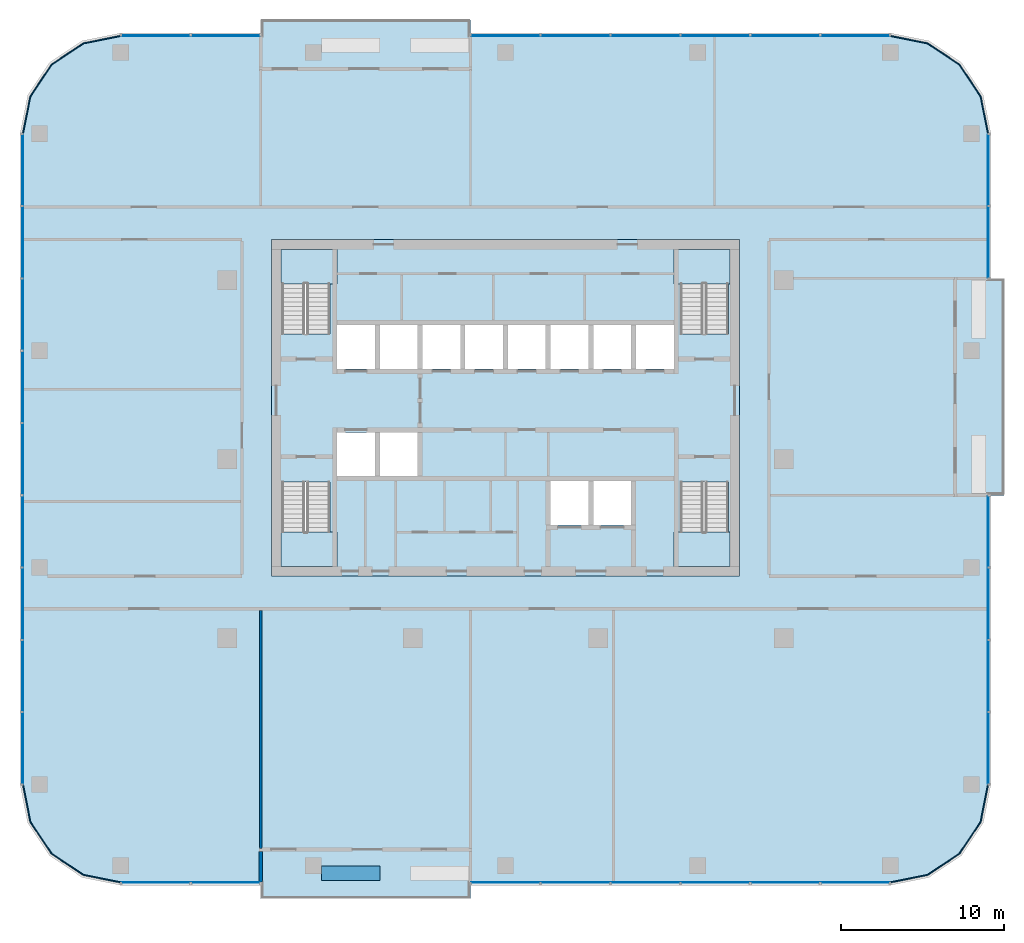
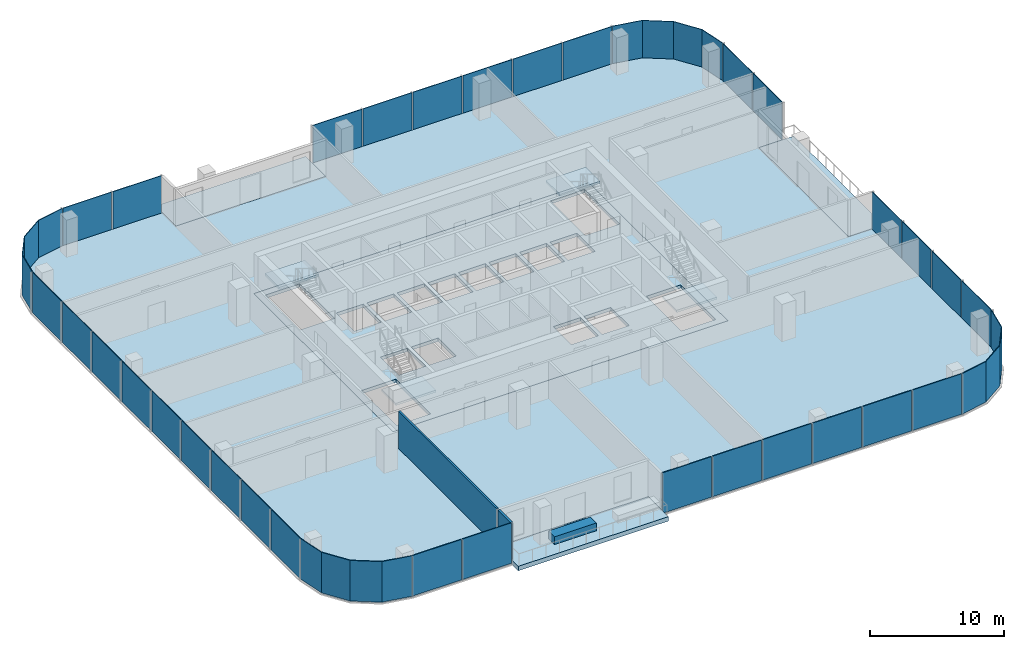
# One storey, part 6 of 13: 35 plates, 9 slabs, 3 walls, 15 elements without a shape of their own.
"""IFC4 building model written with IfcOpenShell, lengths in metres."""

from ifc_helpers import new_model, si_unit, direction, frame, frame_2d, origin, origin_2d, place, context, subcontext, project, spatial, polyline, rectangle, outline, extrude, material, layer, layer_set, type_object, element, aggregate, save


model = new_model("IFC4")

# Units and contexts
model_context = context("Model", 3, precision=1e-05, world=origin(), true_north=direction((0.0, 1.0)))
body_context = subcontext(model_context, "Body", "Model", "MODEL_VIEW")
ifc_project = project(units=[si_unit("LENGTHUNIT", "METRE"), si_unit("AREAUNIT", "SQUARE_METRE"), si_unit("VOLUMEUNIT", "CUBIC_METRE"), si_unit("PLANEANGLEUNIT", "RADIAN"), si_unit("MASSUNIT", "GRAM", prefix="KILO")], contexts=[model_context])

# Site, building, storey
site_placement = place(None, origin())
site = spatial("IfcSite", under=ifc_project, at=site_placement, CompositionType="ELEMENT")
building_placement = place(site_placement, origin())
building = spatial("IfcBuilding", under=site, at=building_placement, Name="Mopane Tessera Tower", CompositionType="ELEMENT")
storey_placement = place(building_placement, frame((0.0, 0.0, 311.39990234375)))
storey = spatial("IfcBuildingStorey", under=building, at=storey_placement, Name="L68", CompositionType="ELEMENT", Elevation=311.39990234375)

# Slab
ifc_material_1 = material(Name="Concrete C40/50", Category="concrete")
ifc_layer_1 = layer(ifc_material_1, 0.300048828125)
ifc_layer_set_1 = layer_set([ifc_layer_1], Name="Concrete C40/50")
slab_type_1 = type_object("IfcSlabType", Name="Core floor slab 300 mm", PredefinedType="FLOOR", material=ifc_layer_set_1)
slab_1_placement = place(storey_placement, frame((0.0, 0.0, -0.2998046875)))
element("IfcSlab", 1, at=slab_1_placement, inside=storey, type_object=slab_type_1, Name="L68 core floor slab", PredefinedType="FLOOR", context=body_context, shape_type="SweptSolid", body=[
    extrude(outline(polyline([(-14.39990234375, -7.199951171875), (14.39990234375, -7.199951171875), (14.39990234375, 13.5), (-14.39990234375, 13.5), (-14.39990234375, -7.199951171875)]), holes=[polyline([(-10.35009765625, -1.050048828125), (-8.02490234375, -1.050048828125), (-8.02490234375, 1.64990234375), (-10.35009765625, 1.64990234375), (-10.35009765625, -1.050048828125)]), polyline([(-7.72509765625, -1.050048828125), (-5.39990234375, -1.050048828125), (-5.39990234375, 1.64990234375), (-7.72509765625, 1.64990234375), (-7.72509765625, -1.050048828125)]), polyline([(-10.35009765625, 5.550048828125), (-8.02490234375, 5.550048828125), (-8.02490234375, 8.25), (-10.35009765625, 8.25), (-10.35009765625, 5.550048828125)]), polyline([(-7.72509765625, 5.550048828125), (-5.39990234375, 5.550048828125), (-5.39990234375, 8.25), (-7.72509765625, 8.25), (-7.72509765625, 5.550048828125)]), polyline([(-5.10009765625, 5.550048828125), (-2.77490234375, 5.550048828125), (-2.77490234375, 8.25), (-5.10009765625, 8.25), (-5.10009765625, 5.550048828125)]), polyline([(-2.47509765625, 5.550048828125), (-0.14990234375, 5.550048828125), (-0.14990234375, 8.25), (-2.47509765625, 8.25), (-2.47509765625, 5.550048828125)]), polyline([(0.14990234375, 5.550048828125), (2.47509765625, 5.550048828125), (2.47509765625, 8.25), (0.14990234375, 8.25), (0.14990234375, 5.550048828125)]), polyline([(2.77490234375, 5.550048828125), (5.10009765625, 5.550048828125), (5.10009765625, 8.25), (2.77490234375, 8.25), (2.77490234375, 5.550048828125)]), polyline([(5.39990234375, 5.550048828125), (7.72509765625, 5.550048828125), (7.72509765625, 8.25), (5.39990234375, 8.25), (5.39990234375, 5.550048828125)]), polyline([(8.02490234375, 5.550048828125), (10.35009765625, 5.550048828125), (10.35009765625, 8.25), (8.02490234375, 8.25), (8.02490234375, 5.550048828125)]), polyline([(2.77490234375, -4.050048828125), (5.10009765625, -4.050048828125), (5.10009765625, -1.35009765625), (2.77490234375, -1.35009765625), (2.77490234375, -4.050048828125)]), polyline([(5.39990234375, -4.050048828125), (7.72509765625, -4.050048828125), (7.72509765625, -1.35009765625), (5.39990234375, -1.35009765625), (5.39990234375, -4.050048828125)]), polyline([(-13.75, -1.405029296875), (-13.75, -6.60009765625), (-10.800048828125, -6.60009765625), (-10.800048828125, -1.405029296875), (-13.75, -1.405029296875)]), polyline([(-10.800048828125, 7.705078125), (-10.800048828125, 12.89990234375), (-13.75, 12.89990234375), (-13.75, 7.705078125), (-10.800048828125, 7.705078125)]), polyline([(10.75, -1.405029296875), (10.75, -6.60009765625), (13.699951171875, -6.60009765625), (13.699951171875, -1.405029296875), (10.75, -1.405029296875)]), polyline([(13.699951171875, 7.705078125), (13.699951171875, 12.89990234375), (10.75, 12.89990234375), (10.75, 7.705078125), (13.699951171875, 7.705078125)])]), origin(), (0.0, 0.0, 1.0), 0.2998046875),
])

# Stair, slab
ifc_material_2 = material(Name="Concrete C50/60", Category="concrete")
stair_type = type_object("IfcStairType", Name="Escape stair 1400 mm, riser 167 mm", PredefinedType="HALF_TURN_STAIR", material=ifc_material_2)
stair_1_placement = place(storey_placement, origin())
stair_1 = element("IfcStair", 2, at=stair_1_placement, inside=storey, type_object=stair_type, Name="L68 Escape stair south-west", PredefinedType="HALF_TURN_STAIR")
ifc_material_3 = material(Name="Concrete C50/60", Category="concrete")
ifc_layer_2 = layer(ifc_material_3, 0.199951171875)
ifc_layer_set_2 = layer_set([ifc_layer_2], Name="Concrete C50/60")
slab_type_2 = type_object("IfcSlabType", Name="Escape stair landing 200 mm", PredefinedType="LANDING", material=ifc_layer_set_2)
slab_2_placement = place(storey_placement, frame((0.0, 0.0, 1.800048828125)))
slab_2 = element("IfcSlab", 3, at=slab_2_placement, type_object=slab_type_2, Name="ST1 landing 1", PredefinedType="LANDING", context=body_context, shape_type="SweptSolid", body=[
    extrude(outline(polyline([(-13.800048828125, -4.47998046875), (-13.800048828125, -6.60009765625), (-10.35009765625, -6.60009765625), (-10.35009765625, -4.47998046875), (-13.800048828125, -4.47998046875)])), origin(), (0.0, 0.0, 1.0), 0.199951171875),
])
aggregate(stair_1, [slab_2])

stair_2_placement = place(storey_placement, origin())
stair_2 = element("IfcStair", 4, at=stair_2_placement, inside=storey, type_object=stair_type, Name="L68 Escape stair north-west", PredefinedType="HALF_TURN_STAIR")
slab_3_placement = place(storey_placement, frame((0.0, 0.0, 1.800048828125)))
slab_3 = element("IfcSlab", 5, at=slab_3_placement, type_object=slab_type_2, Name="ST2 landing 1", PredefinedType="LANDING", context=body_context, shape_type="SweptSolid", body=[
    extrude(outline(polyline([(-10.35009765625, 10.780029296875), (-10.35009765625, 12.89990234375), (-13.800048828125, 12.89990234375), (-13.800048828125, 10.780029296875), (-10.35009765625, 10.780029296875)])), origin(), (0.0, 0.0, 1.0), 0.199951171875),
])
aggregate(stair_2, [slab_3])

stair_3_placement = place(storey_placement, origin())
stair_3 = element("IfcStair", 6, at=stair_3_placement, inside=storey, type_object=stair_type, Name="L68 Escape stair south-east", PredefinedType="HALF_TURN_STAIR")
slab_4_placement = place(storey_placement, frame((0.0, 0.0, 1.800048828125)))
slab_4 = element("IfcSlab", 7, at=slab_4_placement, type_object=slab_type_2, Name="ST3 landing 1", PredefinedType="LANDING", context=body_context, shape_type="SweptSolid", body=[
    extrude(outline(polyline([(10.35009765625, -4.47998046875), (10.35009765625, -6.60009765625), (13.800048828125, -6.60009765625), (13.800048828125, -4.47998046875), (10.35009765625, -4.47998046875)])), origin(), (0.0, 0.0, 1.0), 0.199951171875),
])
aggregate(stair_3, [slab_4])

stair_4_placement = place(storey_placement, origin())
stair_4 = element("IfcStair", 8, at=stair_4_placement, inside=storey, type_object=stair_type, Name="L68 Escape stair north-east", PredefinedType="HALF_TURN_STAIR")
slab_5_placement = place(storey_placement, frame((0.0, 0.0, 1.800048828125)))
slab_5 = element("IfcSlab", 9, at=slab_5_placement, type_object=slab_type_2, Name="ST4 landing 1", PredefinedType="LANDING", context=body_context, shape_type="SweptSolid", body=[
    extrude(outline(polyline([(13.800048828125, 10.780029296875), (13.800048828125, 12.89990234375), (10.35009765625, 12.89990234375), (10.35009765625, 10.780029296875), (13.800048828125, 10.780029296875)])), origin(), (0.0, 0.0, 1.0), 0.199951171875),
])
aggregate(stair_4, [slab_5])

# Slabs
ifc_material_4 = material(Name="Concrete C40/50", Category="concrete")
ifc_layer_3 = layer(ifc_material_4, 0.39990234375)
ifc_layer_set_3 = layer_set([ifc_layer_3], Name="Concrete C40/50")
slab_type_3 = type_object("IfcSlabType", Name="Planted terrace slab 400 mm", PredefinedType="FLOOR", material=ifc_layer_set_3)
slab_6_placement = place(storey_placement, frame((0.0, 0.0, -0.39990234375)))
element("IfcSlab", 10, at=slab_6_placement, inside=storey, type_object=slab_type_3, Name="Terrace slab N1 L68", PredefinedType="FLOOR", context=body_context, shape_type="SweptSolid", body=[
    extrude(outline(polyline([(30.64990234375, 11.111083984375), (27.64990234375, 11.111083984375), (27.64990234375, -2.22216796875), (30.64990234375, -2.22216796875), (30.64990234375, 11.111083984375)])), origin(), (0.0, 0.0, 1.0), 0.39990234375),
])
slab_7_placement = place(storey_placement, frame((0.0, 0.0, -0.39990234375)))
element("IfcSlab", 11, at=slab_7_placement, inside=storey, type_object=slab_type_3, Name="Terrace slab N2 L68", PredefinedType="FLOOR", context=body_context, shape_type="SweptSolid", body=[
    extrude(outline(polyline([(-15.050048828125, 27.0), (-15.050048828125, 24.0), (-2.14990234375, 24.0), (-2.14990234375, 27.0), (-15.050048828125, 27.0)])), origin(), (0.0, 0.0, 1.0), 0.39990234375),
])
slab_8_placement = place(storey_placement, frame((0.0, 0.0, -0.39990234375)))
element("IfcSlab", 12, at=slab_8_placement, inside=storey, type_object=slab_type_3, Name="Terrace slab N3 L68", PredefinedType="FLOOR", context=body_context, shape_type="SweptSolid", body=[
    extrude(outline(polyline([(-2.14990234375, -27.0), (-2.14990234375, -24.0), (-15.050048828125, -24.0), (-15.050048828125, -27.0), (-2.14990234375, -27.0)])), origin(), (0.0, 0.0, 1.0), 0.39990234375),
])
ifc_material_5 = material(Name="Concrete C40/50", Category="concrete")
ifc_layer_4 = layer(ifc_material_5, 0.39990234375)
ifc_layer_set_4 = layer_set([ifc_layer_4], Name="Concrete C40/50")
slab_type_4 = type_object("IfcSlabType", Name="Post-tensioned flat plate 400 mm", PredefinedType="FLOOR", material=ifc_layer_set_4)
slab_9_placement = place(storey_placement, frame((0.0, 0.0, -0.39990234375)))
element("IfcSlab", 13, at=slab_9_placement, inside=storey, type_object=slab_type_4, Name="Floor slab L68", PredefinedType="FLOOR", context=body_context, shape_type="SweptSolid", body=[
    extrude(outline(polyline([(-23.64990234375, -26.0), (-15.050048828125, -26.0), (-15.050048828125, -24.0), (-2.14990234375, -24.0), (-2.14990234375, -26.0), (23.64990234375, -26.0), (25.946044921875, -25.543212890625), (27.892578125, -24.24267578125), (29.193359375, -22.296142578125), (29.64990234375, -20.0), (29.64990234375, -2.22216796875), (27.64990234375, -2.22216796875), (27.64990234375, 11.111083984375), (29.64990234375, 11.111083984375), (29.64990234375, 20.0), (29.193359375, 22.296142578125), (27.892578125, 24.24267578125), (25.946044921875, 25.543212890625), (23.64990234375, 26.0), (-2.14990234375, 26.0), (-2.14990234375, 24.0), (-15.050048828125, 24.0), (-15.050048828125, 26.0), (-23.64990234375, 26.0), (-25.946044921875, 25.543212890625), (-27.892578125, 24.24267578125), (-29.193359375, 22.296142578125), (-29.64990234375, 20.0), (-29.64990234375, -20.0), (-29.193359375, -22.296142578125), (-27.892578125, -24.24267578125), (-25.946044921875, -25.543212890625), (-23.64990234375, -26.0)]), holes=[polyline([(14.39990234375, -7.199951171875), (-14.39990234375, -7.199951171875), (-14.39990234375, 13.5), (14.39990234375, 13.5), (14.39990234375, -7.199951171875)])]), origin(), (0.0, 0.0, 1.0), 0.39990234375),
])

# Curtain wall, plates
ifc_material_6 = material(Name="Aluminium frame", Category="aluminium")
curtain_wall_type = type_object("IfcCurtainWallType", Name="Unitised curtain wall", PredefinedType="NOTDEFINED", material=ifc_material_6)
curtain_wall_1_placement = place(storey_placement, origin())
curtain_wall_1 = element("IfcCurtainWall", 14, at=curtain_wall_1_placement, inside=storey, type_object=curtain_wall_type, Name="e:cw:L68:S:0", PredefinedType="NOTDEFINED")
ifc_material_7 = material(Name="Clear laminated glass", Category="glass")
ifc_layer_5 = layer(ifc_material_7, 0.06005859375)
ifc_layer_set_5 = layer_set([ifc_layer_5], Name="Clear laminated glass")
plate_type = type_object("IfcPlateType", Name="Unitised glazed unit", PredefinedType="CURTAIN_PANEL", material=ifc_layer_set_5)
plate_1_placement = place(storey_placement, frame((-21.5, -26.030029296875, -0.27978515625), z_axis=(0.0, 0.0, 1.0), x_axis=(1.0, 0.0, 0.0)))
plate_1 = element("IfcPlate", 15, at=plate_1_placement, type_object=plate_type, Name="e:cw:L68:S:0:pn0", PredefinedType="CURTAIN_PANEL", context=body_context, shape_type="SweptSolid", body=[
    extrude(rectangle(XDim=4.199951171875, YDim=0.06005859375, at=origin_2d()), origin(), (0.0, 0.0, 1.0), 3.679931640625),
])
plate_2_placement = place(storey_placement, frame((-17.199951171875, -26.030029296875, -0.27978515625), z_axis=(0.0, 0.0, 1.0), x_axis=(1.0, 0.0, 0.0)))
plate_2 = element("IfcPlate", 16, at=plate_2_placement, type_object=plate_type, Name="e:cw:L68:S:0:pn1", PredefinedType="CURTAIN_PANEL", context=body_context, shape_type="SweptSolid", body=[
    extrude(rectangle(XDim=4.199951171875, YDim=0.06005859375, at=origin_2d()), origin(), (0.0, 0.0, 1.0), 3.679931640625),
])
aggregate(curtain_wall_1, [plate_1, plate_2])

curtain_wall_2_placement = place(storey_placement, origin())
curtain_wall_2 = element("IfcCurtainWall", 17, at=curtain_wall_2_placement, inside=storey, type_object=curtain_wall_type, Name="e:cw:L68:S:5", PredefinedType="NOTDEFINED")
plate_3_placement = place(storey_placement, frame((0.0, -26.030029296875, -0.27978515625), z_axis=(0.0, 0.0, 1.0), x_axis=(1.0, 0.0, 0.0)))
plate_3 = element("IfcPlate", 18, at=plate_3_placement, type_object=plate_type, Name="e:cw:L68:S:5:pn5", PredefinedType="CURTAIN_PANEL", context=body_context, shape_type="SweptSolid", body=[
    extrude(rectangle(XDim=4.199951171875, YDim=0.06005859375, at=origin_2d()), origin(), (0.0, 0.0, 1.0), 3.679931640625),
])
plate_4_placement = place(storey_placement, frame((4.300048828125, -26.030029296875, -0.27978515625), z_axis=(0.0, 0.0, 1.0), x_axis=(1.0, 0.0, 0.0)))
plate_4 = element("IfcPlate", 19, at=plate_4_placement, type_object=plate_type, Name="e:cw:L68:S:5:pn6", PredefinedType="CURTAIN_PANEL", context=body_context, shape_type="SweptSolid", body=[
    extrude(rectangle(XDim=4.199951171875, YDim=0.06005859375, at=origin_2d()), origin(), (0.0, 0.0, 1.0), 3.679931640625),
])
plate_5_placement = place(storey_placement, frame((8.60009765625, -26.030029296875, -0.27978515625), z_axis=(0.0, 0.0, 1.0), x_axis=(1.0, 0.0, 0.0)))
plate_5 = element("IfcPlate", 20, at=plate_5_placement, type_object=plate_type, Name="e:cw:L68:S:5:pn7", PredefinedType="CURTAIN_PANEL", context=body_context, shape_type="SweptSolid", body=[
    extrude(rectangle(XDim=4.199951171875, YDim=0.06005859375, at=origin_2d()), origin(), (0.0, 0.0, 1.0), 3.679931640625),
])
plate_6_placement = place(storey_placement, frame((12.89990234375, -26.030029296875, -0.27978515625), z_axis=(0.0, 0.0, 1.0), x_axis=(1.0, 0.0, 0.0)))
plate_6 = element("IfcPlate", 21, at=plate_6_placement, type_object=plate_type, Name="e:cw:L68:S:5:pn8", PredefinedType="CURTAIN_PANEL", context=body_context, shape_type="SweptSolid", body=[
    extrude(rectangle(XDim=4.199951171875, YDim=0.06005859375, at=origin_2d()), origin(), (0.0, 0.0, 1.0), 3.679931640625),
])
plate_7_placement = place(storey_placement, frame((17.199951171875, -26.030029296875, -0.27978515625), z_axis=(0.0, 0.0, 1.0), x_axis=(1.0, 0.0, 0.0)))
plate_7 = element("IfcPlate", 22, at=plate_7_placement, type_object=plate_type, Name="e:cw:L68:S:5:pn9", PredefinedType="CURTAIN_PANEL", context=body_context, shape_type="SweptSolid", body=[
    extrude(rectangle(XDim=4.199951171875, YDim=0.06005859375, at=origin_2d()), origin(), (0.0, 0.0, 1.0), 3.679931640625),
])
plate_8_placement = place(storey_placement, frame((21.5, -26.030029296875, -0.27978515625), z_axis=(0.0, 0.0, 1.0), x_axis=(1.0, 0.0, 0.0)))
plate_8 = element("IfcPlate", 23, at=plate_8_placement, type_object=plate_type, Name="e:cw:L68:S:5:pn10", PredefinedType="CURTAIN_PANEL", context=body_context, shape_type="SweptSolid", body=[
    extrude(rectangle(XDim=4.199951171875, YDim=0.06005859375, at=origin_2d()), origin(), (0.0, 0.0, 1.0), 3.679931640625),
])
aggregate(curtain_wall_2, [plate_3, plate_4, plate_5, plate_6, plate_7, plate_8])

# Curtain wall, plate
curtain_wall_3_placement = place(storey_placement, origin())
curtain_wall_3 = element("IfcCurtainWall", 24, at=curtain_wall_3_placement, inside=storey, type_object=curtain_wall_type, Name="e:cw:L68:CS", PredefinedType="NOTDEFINED")
plate_9_placement = place(storey_placement, frame((0.0, 0.0, -0.27978515625)))
plate_9 = element("IfcPlate", 25, at=plate_9_placement, type_object=plate_type, Name="e:cw:L68:CS:pn", PredefinedType="CURTAIN_PANEL", context=body_context, shape_type="SweptSolid", body=[
    extrude(outline(polyline([(23.64990234375, -26.0), (25.946044921875, -25.543212890625), (27.892578125, -24.24267578125), (29.193359375, -22.296142578125), (29.64990234375, -20.0), (29.7099609375, -20.0), (29.248779296875, -22.319091796875), (27.93505859375, -24.28515625), (25.968994140625, -25.5986328125), (23.64990234375, -26.06005859375), (23.64990234375, -26.0)])), origin(), (0.0, 0.0, 1.0), 3.679931640625),
])
aggregate(curtain_wall_3, [plate_9])

# Curtain wall, plates
curtain_wall_4_placement = place(storey_placement, origin())
curtain_wall_4 = element("IfcCurtainWall", 26, at=curtain_wall_4_placement, inside=storey, type_object=curtain_wall_type, Name="e:cw:L68:E:0", PredefinedType="NOTDEFINED")
plate_10_placement = place(storey_placement, frame((29.679931640625, -17.77783203125, -0.27978515625), z_axis=(0.0, 0.0, 1.0), x_axis=(0.0, 1.0, 0.0)))
plate_10 = element("IfcPlate", 27, at=plate_10_placement, type_object=plate_type, Name="e:cw:L68:E:0:pn0", PredefinedType="CURTAIN_PANEL", context=body_context, shape_type="SweptSolid", body=[
    extrude(rectangle(XDim=4.344482421875, YDim=0.06005859375, at=origin_2d()), origin(), (0.0, 0.0, 1.0), 3.679931640625),
])
plate_11_placement = place(storey_placement, frame((29.679931640625, -13.333251953125, -0.27978515625), z_axis=(0.0, 0.0, 1.0), x_axis=(0.0, 1.0, 0.0)))
plate_11 = element("IfcPlate", 28, at=plate_11_placement, type_object=plate_type, Name="e:cw:L68:E:0:pn1", PredefinedType="CURTAIN_PANEL", context=body_context, shape_type="SweptSolid", body=[
    extrude(rectangle(XDim=4.344482421875, YDim=0.06005859375, at=origin_2d()), origin(), (0.0, 0.0, 1.0), 3.679931640625),
])
plate_12_placement = place(storey_placement, frame((29.679931640625, -8.888916015625, -0.27978515625), z_axis=(0.0, 0.0, 1.0), x_axis=(0.0, 1.0, 0.0)))
plate_12 = element("IfcPlate", 29, at=plate_12_placement, type_object=plate_type, Name="e:cw:L68:E:0:pn2", PredefinedType="CURTAIN_PANEL", context=body_context, shape_type="SweptSolid", body=[
    extrude(rectangle(XDim=4.344482421875, YDim=0.06005859375, at=origin_2d()), origin(), (0.0, 0.0, 1.0), 3.679931640625),
])
plate_13_placement = place(storey_placement, frame((29.679931640625, -4.4443359375, -0.27978515625), z_axis=(0.0, 0.0, 1.0), x_axis=(0.0, 1.0, 0.0)))
plate_13 = element("IfcPlate", 30, at=plate_13_placement, type_object=plate_type, Name="e:cw:L68:E:0:pn3", PredefinedType="CURTAIN_PANEL", context=body_context, shape_type="SweptSolid", body=[
    extrude(rectangle(XDim=4.344482421875, YDim=0.06005859375, at=origin_2d()), origin(), (0.0, 0.0, 1.0), 3.679931640625),
])
aggregate(curtain_wall_4, [plate_10, plate_11, plate_12, plate_13])

curtain_wall_5_placement = place(storey_placement, origin())
curtain_wall_5 = element("IfcCurtainWall", 31, at=curtain_wall_5_placement, inside=storey, type_object=curtain_wall_type, Name="e:cw:L68:E:7", PredefinedType="NOTDEFINED")
plate_14_placement = place(storey_placement, frame((29.679931640625, 13.333251953125, -0.27978515625), z_axis=(0.0, 0.0, 1.0), x_axis=(0.0, 1.0, 0.0)))
plate_14 = element("IfcPlate", 32, at=plate_14_placement, type_object=plate_type, Name="e:cw:L68:E:7:pn7", PredefinedType="CURTAIN_PANEL", context=body_context, shape_type="SweptSolid", body=[
    extrude(rectangle(XDim=4.344482421875, YDim=0.06005859375, at=origin_2d()), origin(), (0.0, 0.0, 1.0), 3.679931640625),
])
plate_15_placement = place(storey_placement, frame((29.679931640625, 17.77783203125, -0.27978515625), z_axis=(0.0, 0.0, 1.0), x_axis=(0.0, 1.0, 0.0)))
plate_15 = element("IfcPlate", 33, at=plate_15_placement, type_object=plate_type, Name="e:cw:L68:E:7:pn8", PredefinedType="CURTAIN_PANEL", context=body_context, shape_type="SweptSolid", body=[
    extrude(rectangle(XDim=4.344482421875, YDim=0.06005859375, at=origin_2d()), origin(), (0.0, 0.0, 1.0), 3.679931640625),
])
aggregate(curtain_wall_5, [plate_14, plate_15])

# Curtain wall, plate
curtain_wall_6_placement = place(storey_placement, origin())
curtain_wall_6 = element("IfcCurtainWall", 34, at=curtain_wall_6_placement, inside=storey, type_object=curtain_wall_type, Name="e:cw:L68:CE", PredefinedType="NOTDEFINED")
plate_16_placement = place(storey_placement, frame((0.0, 0.0, -0.27978515625)))
plate_16 = element("IfcPlate", 35, at=plate_16_placement, type_object=plate_type, Name="e:cw:L68:CE:pn", PredefinedType="CURTAIN_PANEL", context=body_context, shape_type="SweptSolid", body=[
    extrude(outline(polyline([(29.64990234375, 20.0), (29.193359375, 22.296142578125), (27.892578125, 24.24267578125), (25.946044921875, 25.543212890625), (23.64990234375, 26.0), (23.64990234375, 26.06005859375), (25.968994140625, 25.5986328125), (27.93505859375, 24.28515625), (29.248779296875, 22.319091796875), (29.7099609375, 20.0), (29.64990234375, 20.0)])), origin(), (0.0, 0.0, 1.0), 3.679931640625),
])
aggregate(curtain_wall_6, [plate_16])

# Curtain wall, plates
curtain_wall_7_placement = place(storey_placement, origin())
curtain_wall_7 = element("IfcCurtainWall", 36, at=curtain_wall_7_placement, inside=storey, type_object=curtain_wall_type, Name="e:cw:L68:N:0", PredefinedType="NOTDEFINED")
plate_17_placement = place(storey_placement, frame((21.5, 26.030029296875, -0.27978515625), z_axis=(0.0, 0.0, 1.0), x_axis=(-1.0, 0.0, 0.0)))
plate_17 = element("IfcPlate", 37, at=plate_17_placement, type_object=plate_type, Name="e:cw:L68:N:0:pn0", PredefinedType="CURTAIN_PANEL", context=body_context, shape_type="SweptSolid", body=[
    extrude(rectangle(XDim=4.199951171875, YDim=0.06005859375, at=origin_2d()), origin(), (0.0, 0.0, 1.0), 3.679931640625),
])
plate_18_placement = place(storey_placement, frame((17.199951171875, 26.030029296875, -0.27978515625), z_axis=(0.0, 0.0, 1.0), x_axis=(-1.0, 0.0, 0.0)))
plate_18 = element("IfcPlate", 38, at=plate_18_placement, type_object=plate_type, Name="e:cw:L68:N:0:pn1", PredefinedType="CURTAIN_PANEL", context=body_context, shape_type="SweptSolid", body=[
    extrude(rectangle(XDim=4.199951171875, YDim=0.06005859375, at=origin_2d()), origin(), (0.0, 0.0, 1.0), 3.679931640625),
])
plate_19_placement = place(storey_placement, frame((12.89990234375, 26.030029296875, -0.27978515625), z_axis=(0.0, 0.0, 1.0), x_axis=(-1.0, 0.0, 0.0)))
plate_19 = element("IfcPlate", 39, at=plate_19_placement, type_object=plate_type, Name="e:cw:L68:N:0:pn2", PredefinedType="CURTAIN_PANEL", context=body_context, shape_type="SweptSolid", body=[
    extrude(rectangle(XDim=4.199951171875, YDim=0.06005859375, at=origin_2d()), origin(), (0.0, 0.0, 1.0), 3.679931640625),
])
plate_20_placement = place(storey_placement, frame((8.60009765625, 26.030029296875, -0.27978515625), z_axis=(0.0, 0.0, 1.0), x_axis=(-1.0, 0.0, 0.0)))
plate_20 = element("IfcPlate", 40, at=plate_20_placement, type_object=plate_type, Name="e:cw:L68:N:0:pn3", PredefinedType="CURTAIN_PANEL", context=body_context, shape_type="SweptSolid", body=[
    extrude(rectangle(XDim=4.199951171875, YDim=0.06005859375, at=origin_2d()), origin(), (0.0, 0.0, 1.0), 3.679931640625),
])
plate_21_placement = place(storey_placement, frame((4.300048828125, 26.030029296875, -0.27978515625), z_axis=(0.0, 0.0, 1.0), x_axis=(-1.0, 0.0, 0.0)))
plate_21 = element("IfcPlate", 41, at=plate_21_placement, type_object=plate_type, Name="e:cw:L68:N:0:pn4", PredefinedType="CURTAIN_PANEL", context=body_context, shape_type="SweptSolid", body=[
    extrude(rectangle(XDim=4.199951171875, YDim=0.06005859375, at=origin_2d()), origin(), (0.0, 0.0, 1.0), 3.679931640625),
])
plate_22_placement = place(storey_placement, frame((0.0, 26.030029296875, -0.27978515625), z_axis=(0.0, 0.0, 1.0), x_axis=(-1.0, 0.0, 0.0)))
plate_22 = element("IfcPlate", 42, at=plate_22_placement, type_object=plate_type, Name="e:cw:L68:N:0:pn5", PredefinedType="CURTAIN_PANEL", context=body_context, shape_type="SweptSolid", body=[
    extrude(rectangle(XDim=4.199951171875, YDim=0.06005859375, at=origin_2d()), origin(), (0.0, 0.0, 1.0), 3.679931640625),
])
aggregate(curtain_wall_7, [plate_17, plate_18, plate_19, plate_20, plate_21, plate_22])

curtain_wall_8_placement = place(storey_placement, origin())
curtain_wall_8 = element("IfcCurtainWall", 43, at=curtain_wall_8_placement, inside=storey, type_object=curtain_wall_type, Name="e:cw:L68:N:9", PredefinedType="NOTDEFINED")
plate_23_placement = place(storey_placement, frame((-17.199951171875, 26.030029296875, -0.27978515625), z_axis=(0.0, 0.0, 1.0), x_axis=(-1.0, 0.0, 0.0)))
plate_23 = element("IfcPlate", 44, at=plate_23_placement, type_object=plate_type, Name="e:cw:L68:N:9:pn9", PredefinedType="CURTAIN_PANEL", context=body_context, shape_type="SweptSolid", body=[
    extrude(rectangle(XDim=4.199951171875, YDim=0.06005859375, at=origin_2d()), origin(), (0.0, 0.0, 1.0), 3.679931640625),
])
plate_24_placement = place(storey_placement, frame((-21.5, 26.030029296875, -0.27978515625), z_axis=(0.0, 0.0, 1.0), x_axis=(-1.0, 0.0, 0.0)))
plate_24 = element("IfcPlate", 45, at=plate_24_placement, type_object=plate_type, Name="e:cw:L68:N:9:pn10", PredefinedType="CURTAIN_PANEL", context=body_context, shape_type="SweptSolid", body=[
    extrude(rectangle(XDim=4.199951171875, YDim=0.06005859375, at=origin_2d()), origin(), (0.0, 0.0, 1.0), 3.679931640625),
])
aggregate(curtain_wall_8, [plate_23, plate_24])

# Curtain wall, plate
curtain_wall_9_placement = place(storey_placement, origin())
curtain_wall_9 = element("IfcCurtainWall", 46, at=curtain_wall_9_placement, inside=storey, type_object=curtain_wall_type, Name="e:cw:L68:CN", PredefinedType="NOTDEFINED")
plate_25_placement = place(storey_placement, frame((0.0, 0.0, -0.27978515625)))
plate_25 = element("IfcPlate", 47, at=plate_25_placement, type_object=plate_type, Name="e:cw:L68:CN:pn", PredefinedType="CURTAIN_PANEL", context=body_context, shape_type="SweptSolid", body=[
    extrude(outline(polyline([(-23.64990234375, 26.0), (-25.946044921875, 25.543212890625), (-27.892578125, 24.24267578125), (-29.193359375, 22.296142578125), (-29.64990234375, 20.0), (-29.7099609375, 20.0), (-29.248779296875, 22.319091796875), (-27.93505859375, 24.28515625), (-25.968994140625, 25.5986328125), (-23.64990234375, 26.06005859375), (-23.64990234375, 26.0)])), origin(), (0.0, 0.0, 1.0), 3.679931640625),
])
aggregate(curtain_wall_9, [plate_25])

# Curtain wall, plates
curtain_wall_10_placement = place(storey_placement, origin())
curtain_wall_10 = element("IfcCurtainWall", 48, at=curtain_wall_10_placement, inside=storey, type_object=curtain_wall_type, Name="e:cw:L68:W:0", PredefinedType="NOTDEFINED")
plate_26_placement = place(storey_placement, frame((-29.679931640625, 17.77783203125, -0.27978515625), z_axis=(0.0, 0.0, 1.0), x_axis=(0.0, -1.0, 0.0)))
plate_26 = element("IfcPlate", 49, at=plate_26_placement, type_object=plate_type, Name="e:cw:L68:W:0:pn0", PredefinedType="CURTAIN_PANEL", context=body_context, shape_type="SweptSolid", body=[
    extrude(rectangle(XDim=4.344482421875, YDim=0.06005859375, at=origin_2d()), origin(), (0.0, 0.0, 1.0), 3.679931640625),
])
plate_27_placement = place(storey_placement, frame((-29.679931640625, 13.333251953125, -0.27978515625), z_axis=(0.0, 0.0, 1.0), x_axis=(0.0, -1.0, 0.0)))
plate_27 = element("IfcPlate", 50, at=plate_27_placement, type_object=plate_type, Name="e:cw:L68:W:0:pn1", PredefinedType="CURTAIN_PANEL", context=body_context, shape_type="SweptSolid", body=[
    extrude(rectangle(XDim=4.344482421875, YDim=0.06005859375, at=origin_2d()), origin(), (0.0, 0.0, 1.0), 3.679931640625),
])
plate_28_placement = place(storey_placement, frame((-29.679931640625, 8.888916015625, -0.27978515625), z_axis=(0.0, 0.0, 1.0), x_axis=(0.0, -1.0, 0.0)))
plate_28 = element("IfcPlate", 51, at=plate_28_placement, type_object=plate_type, Name="e:cw:L68:W:0:pn2", PredefinedType="CURTAIN_PANEL", context=body_context, shape_type="SweptSolid", body=[
    extrude(rectangle(XDim=4.344482421875, YDim=0.06005859375, at=origin_2d()), origin(), (0.0, 0.0, 1.0), 3.679931640625),
])
plate_29_placement = place(storey_placement, frame((-29.679931640625, 4.4443359375, -0.27978515625), z_axis=(0.0, 0.0, 1.0), x_axis=(0.0, -1.0, 0.0)))
plate_29 = element("IfcPlate", 52, at=plate_29_placement, type_object=plate_type, Name="e:cw:L68:W:0:pn3", PredefinedType="CURTAIN_PANEL", context=body_context, shape_type="SweptSolid", body=[
    extrude(rectangle(XDim=4.344482421875, YDim=0.06005859375, at=origin_2d()), origin(), (0.0, 0.0, 1.0), 3.679931640625),
])
plate_30_placement = place(storey_placement, frame((-29.679931640625, 0.0, -0.27978515625), z_axis=(0.0, 0.0, 1.0), x_axis=(0.0, -1.0, 0.0)))
plate_30 = element("IfcPlate", 53, at=plate_30_placement, type_object=plate_type, Name="e:cw:L68:W:0:pn4", PredefinedType="CURTAIN_PANEL", context=body_context, shape_type="SweptSolid", body=[
    extrude(rectangle(XDim=4.344482421875, YDim=0.06005859375, at=origin_2d()), origin(), (0.0, 0.0, 1.0), 3.679931640625),
])
plate_31_placement = place(storey_placement, frame((-29.679931640625, -4.4443359375, -0.27978515625), z_axis=(0.0, 0.0, 1.0), x_axis=(0.0, -1.0, 0.0)))
plate_31 = element("IfcPlate", 54, at=plate_31_placement, type_object=plate_type, Name="e:cw:L68:W:0:pn5", PredefinedType="CURTAIN_PANEL", context=body_context, shape_type="SweptSolid", body=[
    extrude(rectangle(XDim=4.344482421875, YDim=0.06005859375, at=origin_2d()), origin(), (0.0, 0.0, 1.0), 3.679931640625),
])
plate_32_placement = place(storey_placement, frame((-29.679931640625, -8.888916015625, -0.27978515625), z_axis=(0.0, 0.0, 1.0), x_axis=(0.0, -1.0, 0.0)))
plate_32 = element("IfcPlate", 55, at=plate_32_placement, type_object=plate_type, Name="e:cw:L68:W:0:pn6", PredefinedType="CURTAIN_PANEL", context=body_context, shape_type="SweptSolid", body=[
    extrude(rectangle(XDim=4.344482421875, YDim=0.06005859375, at=origin_2d()), origin(), (0.0, 0.0, 1.0), 3.679931640625),
])
plate_33_placement = place(storey_placement, frame((-29.679931640625, -13.333251953125, -0.27978515625), z_axis=(0.0, 0.0, 1.0), x_axis=(0.0, -1.0, 0.0)))
plate_33 = element("IfcPlate", 56, at=plate_33_placement, type_object=plate_type, Name="e:cw:L68:W:0:pn7", PredefinedType="CURTAIN_PANEL", context=body_context, shape_type="SweptSolid", body=[
    extrude(rectangle(XDim=4.344482421875, YDim=0.06005859375, at=origin_2d()), origin(), (0.0, 0.0, 1.0), 3.679931640625),
])
plate_34_placement = place(storey_placement, frame((-29.679931640625, -17.77783203125, -0.27978515625), z_axis=(0.0, 0.0, 1.0), x_axis=(0.0, -1.0, 0.0)))
plate_34 = element("IfcPlate", 57, at=plate_34_placement, type_object=plate_type, Name="e:cw:L68:W:0:pn8", PredefinedType="CURTAIN_PANEL", context=body_context, shape_type="SweptSolid", body=[
    extrude(rectangle(XDim=4.344482421875, YDim=0.06005859375, at=origin_2d()), origin(), (0.0, 0.0, 1.0), 3.679931640625),
])
aggregate(curtain_wall_10, [plate_26, plate_27, plate_28, plate_29, plate_30, plate_31, plate_32, plate_33, plate_34])

# Curtain wall, plate
curtain_wall_11_placement = place(storey_placement, origin())
curtain_wall_11 = element("IfcCurtainWall", 58, at=curtain_wall_11_placement, inside=storey, type_object=curtain_wall_type, Name="e:cw:L68:CW", PredefinedType="NOTDEFINED")
plate_35_placement = place(storey_placement, frame((0.0, 0.0, -0.27978515625)))
plate_35 = element("IfcPlate", 59, at=plate_35_placement, type_object=plate_type, Name="e:cw:L68:CW:pn", PredefinedType="CURTAIN_PANEL", context=body_context, shape_type="SweptSolid", body=[
    extrude(outline(polyline([(-29.64990234375, -20.0), (-29.193359375, -22.296142578125), (-27.892578125, -24.24267578125), (-25.946044921875, -25.543212890625), (-23.64990234375, -26.0), (-23.64990234375, -26.06005859375), (-25.968994140625, -25.5986328125), (-27.93505859375, -24.28515625), (-29.248779296875, -22.319091796875), (-29.7099609375, -20.0), (-29.64990234375, -20.0)])), origin(), (0.0, 0.0, 1.0), 3.679931640625),
])
aggregate(curtain_wall_11, [plate_35])

# Walls
ifc_material_8 = material(Name="Gypsum board on steel studs, mineral wool infill", Category="steel")
ifc_layer_6 = layer(ifc_material_8, 0.14990234375)
ifc_layer_set_6 = layer_set([ifc_layer_6], Name="Gypsum board on steel studs, mineral wool infill")
wall_type_1 = type_object("IfcWallType", Name="Gypsum board partition 150, rated EI 60", PredefinedType="PARTITIONING", material=ifc_layer_set_6)
wall_1_placement = place(storey_placement, frame((-15.050048828125, -23.949951171875, 0.0), z_axis=(0.0, 0.0, 1.0), x_axis=(0.0, 1.0, 0.0)))
element("IfcWall", 60, at=wall_1_placement, inside=storey, type_object=wall_type_1, Name="Partition L68:011", PredefinedType="PARTITIONING", context=body_context, shape_type="SweptSolid", body=[
    extrude(rectangle(XDim=14.64990234375, YDim=0.14990234375, at=frame_2d((7.324951171875, 0.0))), origin(), (0.0, 0.0, 1.0), 3.400146484375),
])
ifc_material_9 = material(Name="Reinforced concrete C32/40 with waterproofing", Category="concrete")
ifc_layer_7 = layer(ifc_material_9, 0.89990234375)
ifc_layer_set_7 = layer_set([ifc_layer_7], Name="Reinforced concrete C32/40 with waterproofing")
wall_type_2 = type_object("IfcWallType", Name="Planter trough 3600 x 900", PredefinedType="STANDARD", material=ifc_layer_set_7)
wall_2_placement = place(storey_placement, frame((-11.304931640625, -25.449951171875, 0.0), z_axis=(0.0, 0.0, 1.0), x_axis=(1.0, 0.0, 0.0)))
element("IfcWall", 61, at=wall_2_placement, inside=storey, type_object=wall_type_2, Name="e:nw:L68:N3:pl0", PredefinedType="STANDARD", context=body_context, shape_type="SweptSolid", body=[
    extrude(rectangle(XDim=3.60009765625, YDim=0.89990234375, at=frame_2d((1.800048828125, 0.0))), origin(), (0.0, 0.0, 1.0), 0.7001953125),
])
ifc_material_10 = material(Name="Blockwork with glazed tile facing", Category="masonry")
ifc_layer_8 = layer(ifc_material_10, 0.199951171875)
ifc_layer_set_8 = layer_set([ifc_layer_8], Name="Blockwork with glazed tile facing")
wall_type_3 = type_object("IfcWallType", Name="Terrace cheek wall 200", PredefinedType="STANDARD", material=ifc_layer_set_8)
wall_3_placement = place(storey_placement, frame((-15.050048828125, -26.0, 0.0), z_axis=(0.0, 0.0, 1.0), x_axis=(0.0, 1.0, 0.0)))
element("IfcWall", 62, at=wall_3_placement, inside=storey, type_object=wall_type_3, Name="e:nw:L68:N3:cheeka", PredefinedType="STANDARD", context=body_context, shape_type="SweptSolid", body=[
    extrude(rectangle(XDim=1.875, YDim=0.199951171875, at=frame_2d((0.9375, 0.0))), origin(), (0.0, 0.0, 1.0), 3.400146484375),
])

save(model, "model.ifc")
